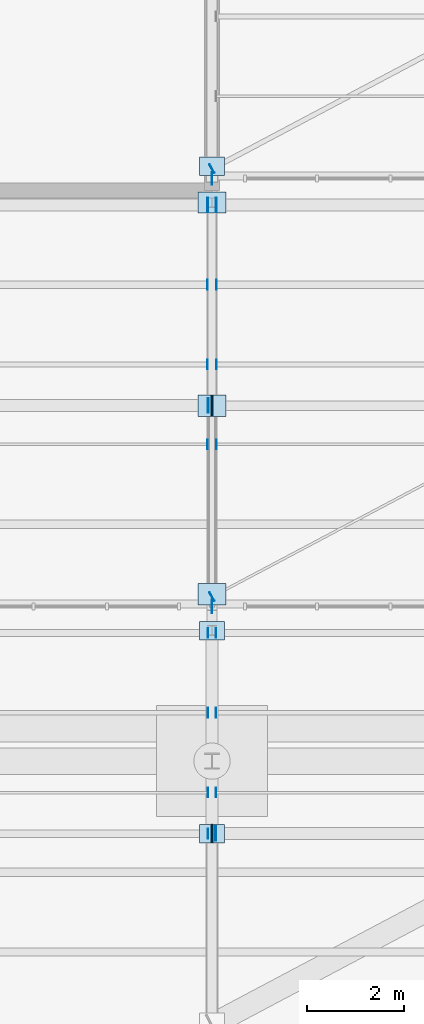
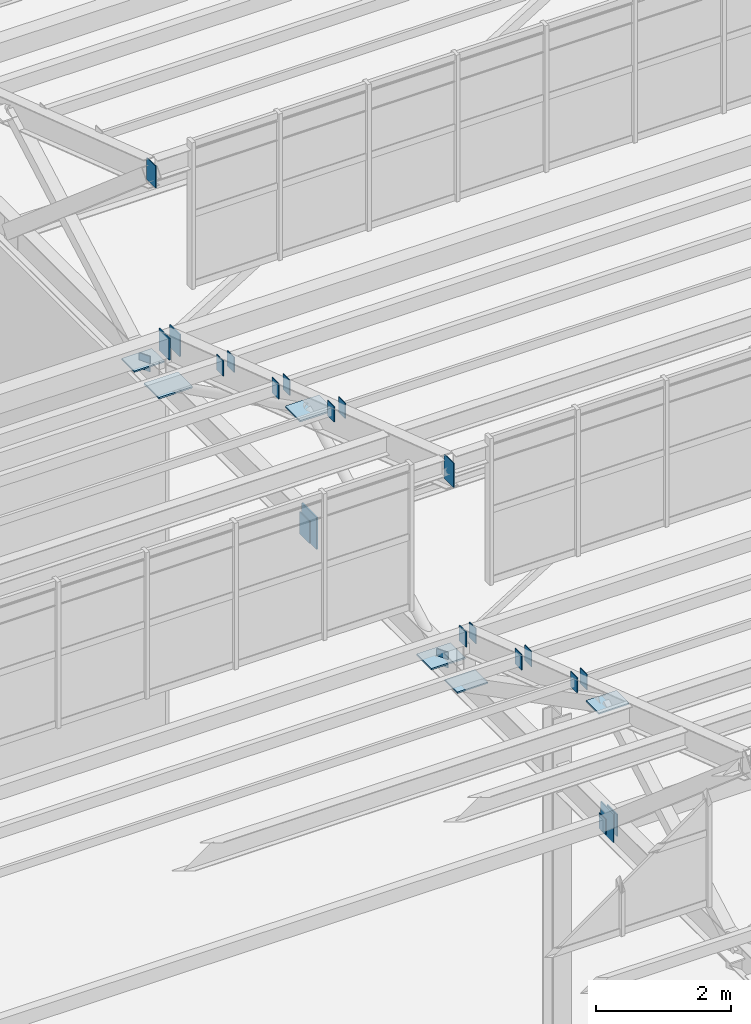
# One storey, part 221 of 285: 29 plates.
"""IFC4 building model written with IfcOpenShell, lengths in metres."""

from ifc_helpers import new_model, si_unit, direction, frame, origin, origin_2d, place, context, subcontext, project, spatial, rectangle, extrude, material, layer, layer_set, type_object, element, save


model = new_model("IFC4")

# Units and contexts
model_context = context("Model", 3, precision=1e-05, world=origin(), true_north=direction((0.0, 1.0)))
body_context = subcontext(model_context, "Body", "Model", "MODEL_VIEW")
ifc_project = project(units=[si_unit("LENGTHUNIT", "METRE"), si_unit("AREAUNIT", "SQUARE_METRE"), si_unit("VOLUMEUNIT", "CUBIC_METRE"), si_unit("PLANEANGLEUNIT", "RADIAN"), si_unit("MASSUNIT", "GRAM", prefix="KILO")], contexts=[model_context])

# Site, building, storey
site_placement = place(None, origin())
site = spatial("IfcSite", under=ifc_project, at=site_placement, CompositionType="ELEMENT")
building_placement = place(site_placement, origin())
building = spatial("IfcBuilding", under=site, at=building_placement, Name="Solanera Park Tramway Depot", CompositionType="ELEMENT")
storey_placement = place(building_placement, origin())
storey = spatial("IfcBuildingStorey", under=building, at=storey_placement, Name="L00", CompositionType="ELEMENT", Elevation=0.0)

# Plates
ifc_material_1 = material(Name="Steel AS/NZS 3679.1 Grade 350", Category="steel")
ifc_layer_1 = layer(ifc_material_1, 0.013916015625)
ifc_layer_set_1 = layer_set([ifc_layer_1], Name="Steel AS/NZS 3679.1 Grade 350")
plate_type_1 = type_object("IfcPlateType", Name="Hollow End Cap and Base Plate 280x200x14", PredefinedType="USERDEFINED", material=ifc_layer_set_1)
for number, where, z_axis, x_axis, name in (
    (1, (89.915771484375, 113.85009765625, 8.41064453125), (0.0, 0.0, 1.0), (1.0, 0.0, 0.0), "Hollow Section Welded End Cap Plate #0694"),
    (2, (90.084228515625, 113.85009765625, 8.41064453125), (0.0, 0.0, 1.0), (1.0, 0.0, 0.0), "Hollow Section Welded End Cap Plate #0695"),
    (3, (89.915771484375, 115.5, 7.8251953125), (0.0, 0.0, 1.0), (1.0, 0.0, 0.0), "Hollow Section Welded End Cap Plate #0714"),
    (4, (90.084228515625, 115.5, 7.8251953125), (0.0, 0.0, 1.0), (1.0, 0.0, 0.0), "Hollow Section Welded End Cap Plate #0715"),
    (5, (89.915771484375, 117.14990234375, 7.23974609375), (0.0, 0.0, 1.0), (1.0, 0.0, 0.0), "Hollow Section Welded End Cap Plate #0734"),
    (6, (90.084228515625, 117.14990234375, 7.23974609375), (0.0, 0.0, 1.0), (1.0, 0.0, 0.0), "Hollow Section Welded End Cap Plate #0735"),
    (7, (89.9150390625, 113.0, 6.35986328125), (0.0, 0.0, 1.0), (1.0, 0.0, 0.0), "Hollow Section Welded End Cap Plate #0750"),
    (8, (89.90625, 121.050048828125, 8.96240234375), (0.0, 0.0, 1.0), (1.0, 0.0, 0.0), "Hollow Section Welded End Cap Plate #0823"),
    (9, (90.09375, 121.050048828125, 8.96240234375), (0.0, 0.0, 1.0), (1.0, 0.0, 0.0), "Hollow Section Welded End Cap Plate #0824"),
    (10, (89.90625, 122.699951171875, 8.376953125), (0.0, 0.0, 1.0), (1.0, 0.0, 0.0), "Hollow Section Welded End Cap Plate #0843"),
    (11, (90.09375, 122.699951171875, 8.376953125), (0.0, 0.0, 1.0), (1.0, 0.0, 0.0), "Hollow Section Welded End Cap Plate #0844"),
    (12, (89.90625, 124.35009765625, 7.79150390625), (0.0, 0.0, 1.0), (1.0, 0.0, 0.0), "Hollow Section Welded End Cap Plate #0863"),
    (13, (90.09375, 124.35009765625, 7.79150390625), (0.0, 0.0, 1.0), (1.0, 0.0, 0.0), "Hollow Section Welded End Cap Plate #0864"),
    (14, (89.999267578125, 117.898681640625, 6.35986328125), (0.0, 0.0, 1.0), (0.883520501477, 0.468392488698, 0.0), "Hollow Section Welded End Cap Plate #0900"),
    (15, (89.999267578125, 126.74853515625, 6.35986328125), (0.0, 0.0, 1.0), (0.883520501477, 0.468392488698, 0.0), "Hollow Section Welded End Cap Plate #0998"),
):
    element("IfcPlate", number, at=place(storey_placement, frame(where, z_axis=z_axis, x_axis=x_axis)), inside=storey, type_object=plate_type_1, Name=name, ObjectType="BASE PLATE", PredefinedType="USERDEFINED", context=body_context, shape_type="SweptSolid", body=[
        extrude(rectangle(XDim=0.013916015625, YDim=0.199951171875, at=origin_2d()), origin(), (0.0, 0.0, 1.0), 0.280029296875),
    ])
ifc_material_2 = material(Name="Steel AS/NZS 3679.1 Grade 350", Category="steel")
ifc_layer_2 = layer(ifc_material_2, 0.02001953125)
ifc_layer_set_2 = layer_set([ifc_layer_2], Name="Steel AS/NZS 3679.1 Grade 350")
plate_type_2 = type_object("IfcPlateType", Name="Hollow End Cap and Base Plate 400x300x20", PredefinedType="USERDEFINED", material=ifc_layer_set_2)
for number, where, z_axis, x_axis, name in (
    (16, (90.08203125, 113.0, 6.300048828125), (0.0, 0.0, 1.0), (1.0, 0.0, 0.0), "Hollow Section Welded End Cap Plate #0751"),
    (17, (89.9091796875, 126.0, 7.11279296875), (0.0, 0.0, 1.0), (1.0, 0.0, 0.0), "Hollow Section Welded End Cap Plate #0883"),
    (18, (90.0908203125, 126.0, 7.11279296875), (0.0, 0.0, 1.0), (1.0, 0.0, 0.0), "Hollow Section Welded End Cap Plate #0884"),
    (19, (89.91796875, 121.85009765625, 6.300048828125), (0.0, 0.0, 1.0), (1.0, 0.0, 0.0), "Hollow Section Welded End Cap Plate #0899"),
):
    element("IfcPlate", number, at=place(storey_placement, frame(where, z_axis=z_axis, x_axis=x_axis)), inside=storey, type_object=plate_type_2, Name=name, ObjectType="BASE PLATE", PredefinedType="USERDEFINED", context=body_context, shape_type="SweptSolid", body=[
        extrude(rectangle(XDim=0.02001953125, YDim=0.300048828125, at=origin_2d()), origin(), (0.0, 0.0, 1.0), 0.39990234375),
    ])
ifc_material_3 = material(Name="Steel AS/NZS 3679.1 Grade 350", Category="steel")
ifc_layer_3 = layer(ifc_material_3, 0.02490234375)
ifc_layer_set_3 = layer_set([ifc_layer_3], Name="Steel AS/NZS 3679.1 Grade 350")
plate_type_3 = type_object("IfcPlateType", Name="Hollow End Cap and Base Plate 520x380x25", PredefinedType="USERDEFINED", material=ifc_layer_set_3)
plate_1_placement = place(storey_placement, frame((90.0, 113.0, 6.239990234375), z_axis=(0.0, 0.0, 1.0), x_axis=(1.0, 0.0, 0.0)))
element("IfcPlate", 20, at=plate_1_placement, inside=storey, type_object=plate_type_3, Name="Sawtooth Truss Hollow End Cap #0659", ObjectType="BASE PLATE", PredefinedType="USERDEFINED", context=body_context, shape_type="SweptSolid", body=[
    extrude(rectangle(XDim=0.02490234375, YDim=0.3798828125, at=origin_2d()), origin(), (0.0, 0.0, 1.0), 0.52001953125),
])
for number, where, z_axis, x_axis, name in (
    (21, (90.0, 117.199951171875, 6.487548828125), (0.0, 0.0, 1.0), (1.0, 0.0, 0.0), "Sawtooth Truss Node Cap Plate #0660"),
    (22, (90.0, 113.0, 8.655029296875), (0.0, 0.0, 1.0), (1.0, 0.0, 0.0), "Sawtooth Truss Node Cap Plate #0661"),
    (23, (90.0, 126.800048828125, 6.487548828125), (0.0, 0.0, 1.0), (1.0, 0.0, 0.0), "Sawtooth Truss Node Cap Plate #0928"),
):
    element("IfcPlate", number, at=place(storey_placement, frame(where, z_axis=z_axis, x_axis=x_axis)), inside=storey, type_object=plate_type_3, Name=name, ObjectType="BASE PLATE", PredefinedType="USERDEFINED", context=body_context, shape_type="SweptSolid", body=[
        extrude(rectangle(XDim=0.52001953125, YDim=0.3798828125, at=origin_2d()), origin(), (0.0, 0.0, 1.0), 0.02490234375),
    ])
ifc_material_4 = material(Name="Steel AS/NZS 3679.1 Grade 350", Category="steel")
ifc_layer_4 = layer(ifc_material_4, 0.028076171875)
ifc_layer_set_4 = layer_set([ifc_layer_4], Name="Steel AS/NZS 3679.1 Grade 350")
plate_type_4 = type_object("IfcPlateType", Name="Hollow End Cap and Base Plate 580x440x28", PredefinedType="USERDEFINED", material=ifc_layer_set_4)
plate_2_placement = place(storey_placement, frame((90.0, 121.85009765625, 6.2099609375), z_axis=(0.0, 0.0, 1.0), x_axis=(1.0, 0.0, 0.0)))
element("IfcPlate", 24, at=plate_2_placement, inside=storey, type_object=plate_type_4, Name="Sawtooth Truss Hollow End Cap #0788", ObjectType="BASE PLATE", PredefinedType="USERDEFINED", context=body_context, shape_type="SweptSolid", body=[
    extrude(rectangle(XDim=0.028076171875, YDim=0.43994140625, at=origin_2d()), origin(), (0.0, 0.0, 1.0), 0.580078125),
])
for number, where, z_axis, x_axis, name in (
    (25, (90.0, 126.050048828125, 6.48583984375), (0.0, 0.0, 1.0), (1.0, 0.0, 0.0), "Sawtooth Truss Node Cap Plate #0789"),
    (26, (90.0, 121.85009765625, 8.61572265625), (0.0, 0.0, 1.0), (1.0, 0.0, 0.0), "Sawtooth Truss Node Cap Plate #0790"),
    (27, (90.0, 117.949951171875, 6.48583984375), (0.0, 0.0, 1.0), (1.0, 0.0, 0.0), "Sawtooth Truss Node Cap Plate #0791"),
):
    element("IfcPlate", number, at=place(storey_placement, frame(where, z_axis=z_axis, x_axis=x_axis)), inside=storey, type_object=plate_type_4, Name=name, ObjectType="BASE PLATE", PredefinedType="USERDEFINED", context=body_context, shape_type="SweptSolid", body=[
        extrude(rectangle(XDim=0.580078125, YDim=0.43994140625, at=origin_2d()), origin(), (0.0, 0.0, 1.0), 0.028076171875),
    ])
ifc_material_5 = material(Name="Steel AS/NZS 3679.1 Grade 350", Category="steel")
ifc_layer_5 = layer(ifc_material_5, 0.01611328125)
ifc_layer_set_5 = layer_set([ifc_layer_5], Name="Steel AS/NZS 3679.1 Grade 350")
plate_type_5 = type_object("IfcPlateType", Name="Truss Node Gusset Stiffener 400x260x16", PredefinedType="SHEET", material=ifc_layer_set_5)
plate_3_placement = place(storey_placement, frame((90.0, 126.550048828125, 9.856201171875), z_axis=(0.0, 0.0, 1.0), x_axis=(1.0, 0.0, 0.0)))
element("IfcPlate", 28, at=plate_3_placement, inside=storey, type_object=plate_type_5, Name="Sawtooth Truss Apex Gusset Plate #0924", PredefinedType="SHEET", context=body_context, shape_type="SweptSolid", body=[
    extrude(rectangle(XDim=0.01611328125, YDim=0.260009765625, at=origin_2d()), origin(), (0.0, 0.0, 1.0), 0.39990234375),
])
ifc_material_6 = material(Name="Steel AS/NZS 3679.1 Grade 350", Category="steel")
ifc_layer_6 = layer(ifc_material_6, 0.01611328125)
ifc_layer_set_6 = layer_set([ifc_layer_6], Name="Steel AS/NZS 3679.1 Grade 350")
plate_type_6 = type_object("IfcPlateType", Name="Truss Node Gusset Stiffener 440x280x16", PredefinedType="SHEET", material=ifc_layer_set_6)
plate_4_placement = place(storey_placement, frame((90.0, 117.699951171875, 9.79833984375), z_axis=(0.0, 0.0, 1.0), x_axis=(1.0, 0.0, 0.0)))
element("IfcPlate", 29, at=plate_4_placement, inside=storey, type_object=plate_type_6, Name="Sawtooth Truss Apex Gusset Plate #0787", PredefinedType="SHEET", context=body_context, shape_type="SweptSolid", body=[
    extrude(rectangle(XDim=0.01611328125, YDim=0.280029296875, at=origin_2d()), origin(), (0.0, 0.0, 1.0), 0.43994140625),
])

save(model, "model.ifc")
